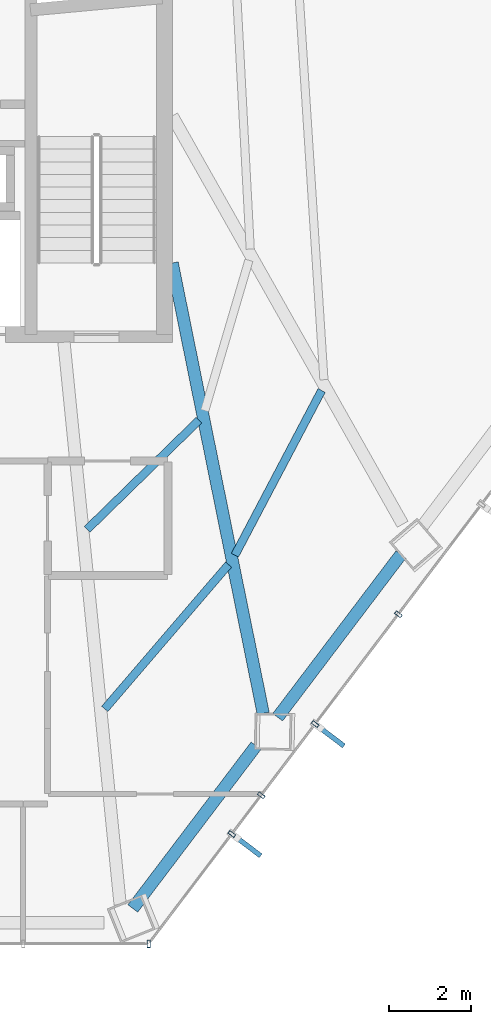
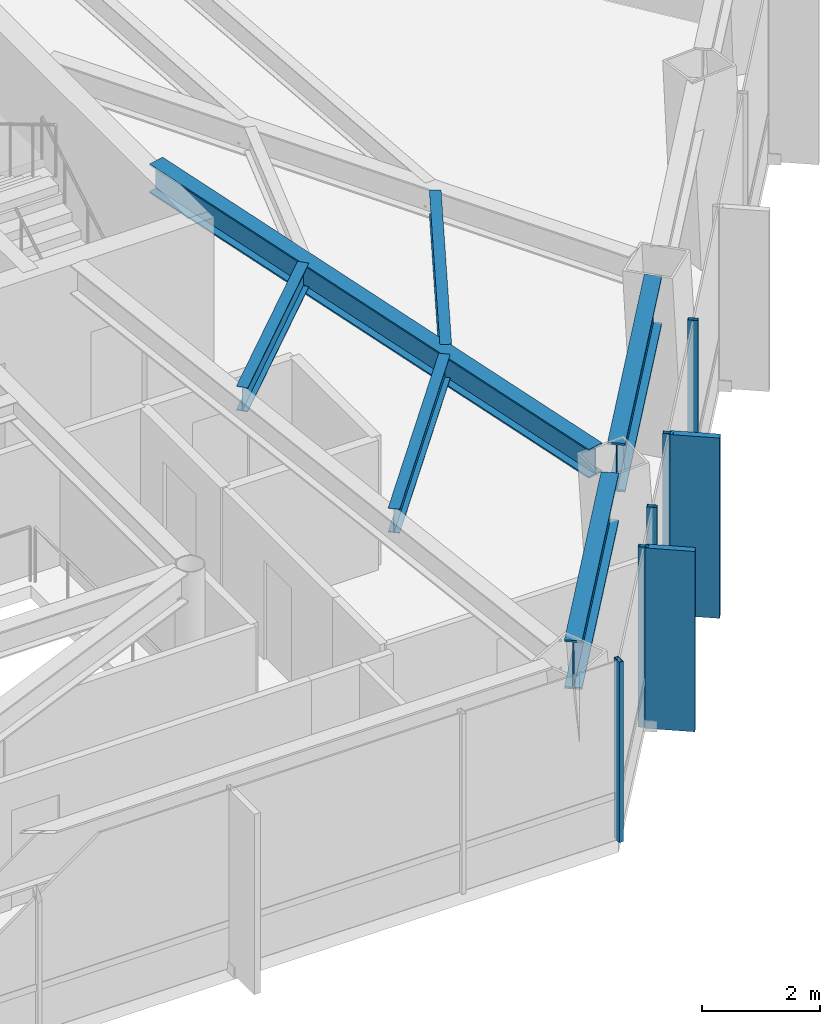
# One storey, part 15 of 25: 7 members, 6 beams, 2 elements without a shape of their own.
"""IFC4 building model written with IfcOpenShell, lengths in metres."""

from ifc_helpers import new_model, si_unit, direction, frame, origin, origin_2d, place, context, subcontext, project, spatial, rectangle, hollow_rectangle, i_section, extrude, material, layer, layer_set, material_profile, profile_set, type_object, element, aggregate, save


model = new_model("IFC4")

# Units and contexts
model_context = context("Model", 3, precision=1e-05, world=origin(), true_north=direction((0.0, 1.0)))
body_context = subcontext(model_context, "Body", "Model", "MODEL_VIEW")
ifc_project = project(units=[si_unit("LENGTHUNIT", "METRE"), si_unit("AREAUNIT", "SQUARE_METRE"), si_unit("VOLUMEUNIT", "CUBIC_METRE"), si_unit("PLANEANGLEUNIT", "RADIAN"), si_unit("MASSUNIT", "GRAM", prefix="KILO")], contexts=[model_context])

# Site, building, storey
site_placement = place(None, origin())
site = spatial("IfcSite", under=ifc_project, at=site_placement, CompositionType="ELEMENT")
building_placement = place(site_placement, origin())
building = spatial("IfcBuilding", under=site, at=building_placement, Name="Zarrinselat Tower", CompositionType="ELEMENT")
storey_placement = place(building_placement, frame((0.0, 0.0, 105.06005859375)))
storey = spatial("IfcBuildingStorey", under=building, at=storey_placement, Name="L25", CompositionType="ELEMENT", Elevation=105.06005859375)

# Beams
ifc_material_1 = material(Name="Steel S355J2", Category="steel")
ifc_material_profile_1 = material_profile(ifc_material_1, i_section(OverallWidth=0.300048828125, OverallDepth=0.60009765625, WebThickness=0.015380859375, FlangeThickness=0.030029296875, at=origin_2d()), Name="HEB 600")
ifc_profile_set_1 = profile_set([ifc_material_profile_1], Name="Steel S355J2")
beam_type_1 = type_object("IfcBeamType", Name="BM-HEB600", PredefinedType="BEAM", material=ifc_profile_set_1)
beam_1_placement = place(storey_placement, frame((48.449951171875, 35.0, 3.429931640625), z_axis=(0.198114124583, -0.980178960007, 0.0), x_axis=(0.980178960007, 0.198114124583, 0.0)))
element("IfcBeam", 1, at=beam_1_placement, inside=storey, type_object=beam_type_1, Name="L25 Radial Primary Girder RG12", PredefinedType="BEAM", context=body_context, shape_type="SweptSolid", body=[
    extrude(i_section(OverallWidth=0.300048828125, OverallDepth=0.60009765625, WebThickness=0.015380859375, FlangeThickness=0.030029296875, at=origin_2d()), origin(), (0.0, 0.0, 1.0), 11.253662109375),
])
ifc_material_2 = material(Name="Steel S460M", Category="steel")
ifc_material_profile_2 = material_profile(ifc_material_2, i_section(OverallWidth=0.302001953125, OverallDepth=1.008056640625, WebThickness=0.02099609375, FlangeThickness=0.0400390625, at=origin_2d()), Name="HEM 1000")
ifc_profile_set_2 = profile_set([ifc_material_profile_2], Name="Steel S460M")
beam_type_2 = type_object("IfcBeamType", Name="BM-HEM1000", PredefinedType="BEAM", material=ifc_profile_set_2)
for number, where, z_axis, x_axis, name in (
    (2, (47.485107421875, 19.19189453125, 3.225830078125), (0.603844526821, 0.79710211857, 0.0), (-0.79710211857, 0.603844526821, 0.0), "L25 Perimeter Spandrel Girder SP11"),
    (3, (51.033447265625, 23.87548828125, 3.225830078125), (0.603813502098, 0.797125620391, 0.0), (-0.797125620391, 0.603813502098, 0.0), "L25 Perimeter Spandrel Girder SP12"),
):
    element("IfcBeam", number, at=place(storey_placement, frame(where, z_axis=z_axis, x_axis=x_axis)), inside=storey, type_object=beam_type_2, Name=name, PredefinedType="BEAM", context=body_context, shape_type="SweptSolid", body=[
        extrude(i_section(OverallWidth=0.302001953125, OverallDepth=1.008056640625, WebThickness=0.02099609375, FlangeThickness=0.0400390625, at=origin_2d()), origin(), (0.0, 0.0, 1.0), 5.0),
    ])
ifc_material_3 = material(Name="Steel S355J2", Category="steel")
ifc_material_profile_3 = material_profile(ifc_material_3, i_section(OverallWidth=0.199951171875, OverallDepth=0.5, WebThickness=0.01025390625, FlangeThickness=0.01611328125, at=origin_2d()), Name="IPE 500")
ifc_profile_set_3 = profile_set([ifc_material_profile_3], Name="Steel S355J2")
beam_type_3 = type_object("IfcBeamType", Name="BM-IPE500", PredefinedType="JOIST", material=ifc_profile_set_3)
beam_2_placement = place(storey_placement, frame((46.799072265625, 24.079833984375, 3.47998046875), z_axis=(0.651084984244, 0.759004837463, 0.0), x_axis=(-0.759004837463, 0.651084984244, 0.0)))
element("IfcBeam", 4, at=beam_2_placement, inside=storey, type_object=beam_type_3, Name="L25 Composite Floor Joist 3-1", PredefinedType="JOIST", context=body_context, shape_type="SweptSolid", body=[
    extrude(i_section(OverallWidth=0.199951171875, OverallDepth=0.5, WebThickness=0.01025390625, FlangeThickness=0.01611328125, at=origin_2d()), origin(), (0.0, 0.0, 1.0), 4.65576171875),
])
beam_3_placement = place(storey_placement, frame((46.367919921875, 28.476806640625, 3.47998046875), z_axis=(0.715535506915, 0.698576365434, 0.0), x_axis=(-0.698576365434, 0.715535506915, 0.0)))
element("IfcBeam", 5, at=beam_3_placement, inside=storey, type_object=beam_type_3, Name="L25 Composite Floor Joist 3-2", PredefinedType="JOIST", context=body_context, shape_type="SweptSolid", body=[
    extrude(i_section(OverallWidth=0.199951171875, OverallDepth=0.5, WebThickness=0.01025390625, FlangeThickness=0.01611328125, at=origin_2d()), origin(), (0.0, 0.0, 1.0), 3.829345703125),
])
beam_4_placement = place(storey_placement, frame((49.986572265625, 27.84375, 3.47998046875), z_axis=(0.46577070704, 0.884905446058, 0.0), x_axis=(-0.884905446058, 0.46577070704, 0.0)))
element("IfcBeam", 6, at=beam_4_placement, inside=storey, type_object=beam_type_3, Name="L25 Composite Floor Joist 4-1", PredefinedType="JOIST", context=body_context, shape_type="SweptSolid", body=[
    extrude(i_section(OverallWidth=0.199951171875, OverallDepth=0.5, WebThickness=0.01025390625, FlangeThickness=0.01611328125, at=origin_2d()), origin(), (0.0, 0.0, 1.0), 4.559814453125),
])

# Curtain wall, member
ifc_material_4 = material(Name="Extruded Aluminium Alloy EN AW-6063 T6", Category="aluminium")
ifc_layer = layer(ifc_material_4, 0.18505859375)
ifc_layer_set = layer_set([ifc_layer], Name="Extruded Aluminium Alloy EN AW-6063 T6")
curtain_wall_type = type_object("IfcCurtainWallType", Name="CWS-OFF", PredefinedType="NOTDEFINED", material=ifc_layer_set)
curtain_wall_1_placement = place(storey_placement, origin())
curtain_wall_1 = element("IfcCurtainWall", 7, at=curtain_wall_1_placement, inside=storey, type_object=curtain_wall_type, Name="L25 Unitised Curtain Wall CW-L25-E04", PredefinedType="NOTDEFINED")
ifc_material_5 = material(Name="Extruded Aluminium Alloy EN AW-6063 T6", Category="aluminium")
ifc_material_profile_4 = material_profile(ifc_material_5, hollow_rectangle(XDim=0.080078125, YDim=0.179931640625, WallThickness=0.0048828125, at=origin_2d()), Name="RHS 180x80x5")
ifc_profile_set_4 = profile_set([ifc_material_profile_4], Name="Extruded Aluminium Alloy EN AW-6063 T6")
member_type_1 = type_object("IfcMemberType", Name="MEM-CW-MUL", PredefinedType="MULLION", material=ifc_profile_set_4)
member_1_placement = place(storey_placement, frame((47.873779296875, 18.32568359375, 0.0), z_axis=(0.0, 0.0, 1.0), x_axis=(1.0, 0.0, 0.0)))
member_1 = element("IfcMember", 8, at=member_1_placement, type_object=member_type_1, Name="CW-L25-E04 Mullion 5", PredefinedType="MULLION", context=body_context, shape_type="SweptSolid", body=[
    extrude(hollow_rectangle(XDim=0.080078125, YDim=0.179931640625, WallThickness=0.0048828125, at=origin_2d()), origin(), (0.0, 0.0, 1.0), 3.72998046875),
])
aggregate(curtain_wall_1, [member_1])

# Curtain wall, members
curtain_wall_2_placement = place(storey_placement, origin())
curtain_wall_2 = element("IfcCurtainWall", 9, at=curtain_wall_2_placement, inside=storey, type_object=curtain_wall_type, Name="L25 Unitised Curtain Wall CW-L25-E05", PredefinedType="NOTDEFINED")
member_2_placement = place(storey_placement, frame((49.912353515625, 21.016357421875, 0.0), z_axis=(0.0, 0.0, 1.0), x_axis=(0.603858013909, 0.79709190125, 0.0)))
member_2 = element("IfcMember", 10, at=member_2_placement, type_object=member_type_1, Name="CW-L25-E05 Mullion 1", PredefinedType="MULLION", context=body_context, shape_type="SweptSolid", body=[
    extrude(hollow_rectangle(XDim=0.080078125, YDim=0.179931640625, WallThickness=0.0048828125, at=origin_2d()), origin(), (0.0, 0.0, 1.0), 3.72998046875),
])
member_3_placement = place(storey_placement, frame((50.630126953125, 21.9638671875, 0.0), z_axis=(0.0, 0.0, 1.0), x_axis=(0.603858013909, 0.79709190125, 0.0)))
member_3 = element("IfcMember", 11, at=member_3_placement, type_object=member_type_1, Name="CW-L25-E05 Mullion 2", PredefinedType="MULLION", context=body_context, shape_type="SweptSolid", body=[
    extrude(hollow_rectangle(XDim=0.080078125, YDim=0.179931640625, WallThickness=0.0048828125, at=origin_2d()), origin(), (0.0, 0.0, 1.0), 3.72998046875),
])
member_4_placement = place(storey_placement, frame((51.95068359375, 23.70703125, 0.0), z_axis=(0.0, 0.0, 1.0), x_axis=(0.603858013909, 0.79709190125, 0.0)))
member_4 = element("IfcMember", 12, at=member_4_placement, type_object=member_type_1, Name="CW-L25-E05 Mullion 3", PredefinedType="MULLION", context=body_context, shape_type="SweptSolid", body=[
    extrude(hollow_rectangle(XDim=0.080078125, YDim=0.179931640625, WallThickness=0.0048828125, at=origin_2d()), origin(), (0.0, 0.0, 1.0), 3.72998046875),
])
member_5_placement = place(storey_placement, frame((53.989013671875, 26.397705078125, 0.0), z_axis=(0.0, 0.0, 1.0), x_axis=(0.603858013909, 0.79709190125, 0.0)))
member_5 = element("IfcMember", 13, at=member_5_placement, type_object=member_type_1, Name="CW-L25-E05 Mullion 4", PredefinedType="MULLION", context=body_context, shape_type="SweptSolid", body=[
    extrude(hollow_rectangle(XDim=0.080078125, YDim=0.179931640625, WallThickness=0.0048828125, at=origin_2d()), origin(), (0.0, 0.0, 1.0), 3.72998046875),
])
ifc_material_6 = material(Name="Honed Cream Travertine Stone", Category="masonry")
ifc_material_profile_5 = material_profile(ifc_material_6, rectangle(XDim=0.1201171875, YDim=0.85009765625, at=origin_2d()), Name="FIN 850x120")
ifc_profile_set_5 = profile_set([ifc_material_profile_5], Name="Honed Cream Travertine Stone")
member_type_2 = type_object("IfcMemberType", Name="MEM-STONE-FIN", PredefinedType="USERDEFINED", material=ifc_profile_set_5)
member_6_placement = place(storey_placement, frame((50.279052734375, 20.738525390625, 0.0), z_axis=(0.0, 0.0, 1.0), x_axis=(-0.603858013909, -0.79709190125, 0.0)))
member_6 = element("IfcMember", 14, at=member_6_placement, type_object=member_type_2, Name="L25 Stone Shading Fin CW-L25-E05-01", ObjectType="FIN", PredefinedType="USERDEFINED", context=body_context, shape_type="SweptSolid", body=[
    extrude(rectangle(XDim=0.1201171875, YDim=0.85009765625, at=origin_2d()), origin(), (0.0, 0.0, 1.0), 3.72998046875),
])
member_7_placement = place(storey_placement, frame((52.3173828125, 23.42919921875, 0.0), z_axis=(0.0, 0.0, 1.0), x_axis=(-0.603858013909, -0.79709190125, 0.0)))
member_7 = element("IfcMember", 15, at=member_7_placement, type_object=member_type_2, Name="L25 Stone Shading Fin CW-L25-E05-03", ObjectType="FIN", PredefinedType="USERDEFINED", context=body_context, shape_type="SweptSolid", body=[
    extrude(rectangle(XDim=0.1201171875, YDim=0.85009765625, at=origin_2d()), origin(), (0.0, 0.0, 1.0), 3.72998046875),
])
aggregate(curtain_wall_2, [member_2, member_6, member_3, member_4, member_7, member_5])

save(model, "model.ifc")
